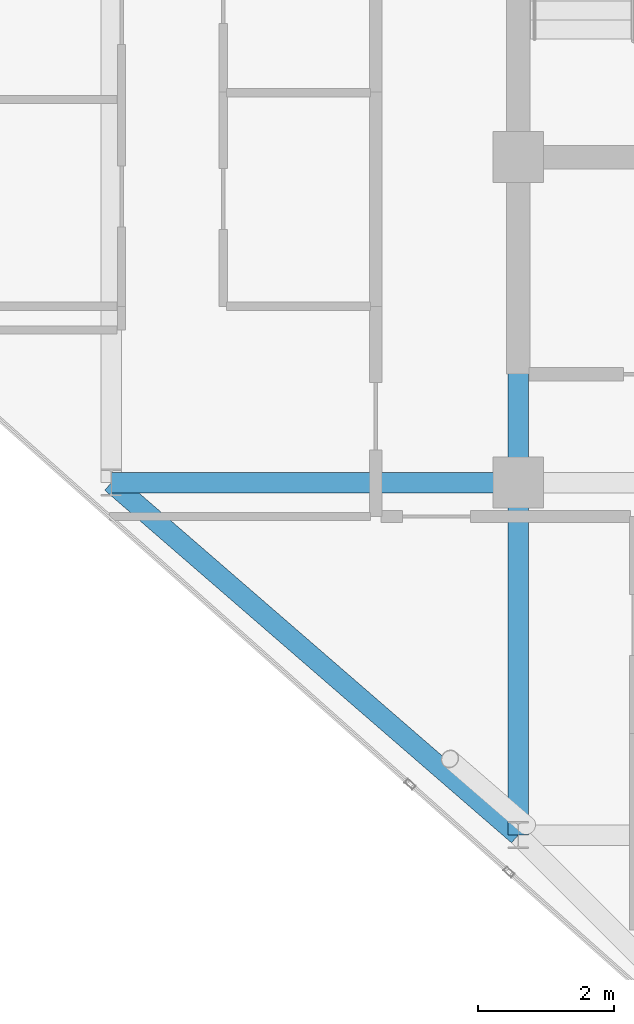
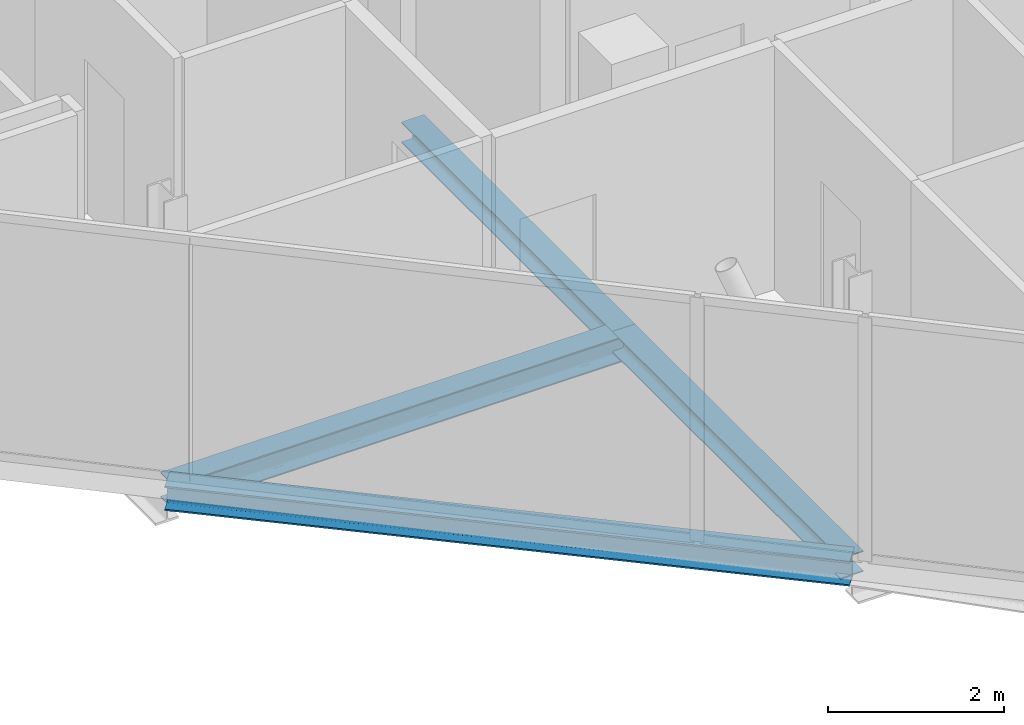
# One storey, part 5 of 27: 4 beams.
"""IFC4 building model written with IfcOpenShell, lengths in metres."""

import ifcopenshell
import ifcopenshell.guid

model = None  # the IFC model being written
_history = None  # IfcOwnerHistory: only IFC2X3 demands one
_inside = {}  # id of a spatial element -> (the spatial element, [elements in it])
_under = {}  # id of a project, library or spatial element -> (it, [spatial elements below it])
_declared = {}  # id of a project -> (the project, [libraries it declares])
_typed = {}  # id of a type object -> (the type object, [elements of that type])
_made_of = {}  # id of a material, layer set ... -> (it, [elements and type objects made of it])


def new_model(schema):
    """Start an empty IFC model of exactly this schema.

    Asked for "IFC4X3", IfcOpenShell would pick the latest addendum, in which some entities
    have other attributes; the version numbers below select the first issue.
    IFC2X3 requires an IfcOwnerHistory on every rooted entity: one is made here for all.
    """
    global model, _history
    if schema == "IFC4X3":
        model = ifcopenshell.file(schema_version=(4, 3, 0, 0))
    else:
        model = ifcopenshell.file(schema=schema)
    _inside.clear()
    _under.clear()
    _declared.clear()
    _typed.clear()
    _made_of.clear()
    _history = None
    if model.schema == "IFC2X3":
        org = make("IfcOrganization", Name="unknown")
        user = make(
            "IfcPersonAndOrganization",
            ThePerson=make("IfcPerson", FamilyName="unknown"),
            TheOrganization=org,
        )
        app = make(
            "IfcApplication",
            ApplicationDeveloper=org,
            Version="unknown",
            ApplicationFullName="unknown",
            ApplicationIdentifier="unknown",
        )
        _history = make(
            "IfcOwnerHistory",
            OwningUser=user,
            OwningApplication=app,
            ChangeAction="ADDED",
            CreationDate=0,
        )
    return model


def make(cls, **values):
    """One entity of the class cls with the attributes given. An attribute that is None is left unset."""
    return model.create_entity(
        cls, **{name: value for name, value in values.items() if value is not None}
    )


def rooted(cls, **values):
    """An entity with a GlobalId (a new one), such as an element, a storey or a relation."""
    return make(cls, GlobalId=ifcopenshell.guid.new(), OwnerHistory=_history, **values)


def si_unit(unit_type, name, prefix=None):
    """IfcSIUnit, for example si_unit("LENGTHUNIT", "METRE", prefix="MILLI")."""
    return make("IfcSIUnit", UnitType=unit_type, Prefix=prefix, Name=name)


def assignment(units):
    """IfcUnitAssignment: the units of a project."""
    return None if units is None else make("IfcUnitAssignment", Units=units)


def point(xyz):
    """IfcCartesianPoint."""
    return None if xyz is None else make("IfcCartesianPoint", Coordinates=xyz)


def direction(xyz):
    """IfcDirection."""
    return None if xyz is None else make("IfcDirection", DirectionRatios=xyz)


def frame(location, z_axis=None, x_axis=None):
    """IfcAxis2Placement3D, a coordinate frame: its origin and axes. An axis left out is left unset."""
    return make(
        "IfcAxis2Placement3D",
        Location=point(location),
        Axis=direction(z_axis),
        RefDirection=direction(x_axis),
    )


def frame_2d(location, x_axis=None):
    """IfcAxis2Placement2D, a coordinate frame in the plane: its origin and x axis."""
    return make(
        "IfcAxis2Placement2D", Location=point(location), RefDirection=direction(x_axis)
    )


def origin():
    """The frame at (0, 0, 0) with its axes left unset."""
    return frame((0.0, 0.0, 0.0))


def origin_2d():
    """The frame at (0, 0) in the plane with its x axis left unset."""
    return frame_2d((0.0, 0.0))


def place(relative_to, where):
    """IfcLocalPlacement: puts the frame where relative to a parent placement (None: the world)."""
    return make(
        "IfcLocalPlacement", PlacementRelTo=relative_to, RelativePlacement=where
    )


def context(
    kind, dimensions, precision=None, world=None, true_north=None, identifier=None
):
    """IfcGeometricRepresentationContext, for example the 3D "Model" context."""
    return make(
        "IfcGeometricRepresentationContext",
        ContextIdentifier=identifier,
        ContextType=kind,
        CoordinateSpaceDimension=dimensions,
        Precision=precision,
        WorldCoordinateSystem=world,
        TrueNorth=true_north,
    )


def subcontext(parent, identifier, kind, view, scale=None):
    """IfcGeometricRepresentationSubContext, for example "Body" below "Model"."""
    return make(
        "IfcGeometricRepresentationSubContext",
        ContextIdentifier=identifier,
        ContextType=kind,
        ParentContext=parent,
        TargetScale=scale,
        TargetView=view,
    )


def project(units=None, contexts=None):
    """IfcProject with its units and contexts."""
    return rooted(
        "IfcProject",
        Name="project",
        RepresentationContexts=contexts,
        UnitsInContext=assignment(units),
    )


def spatial(cls, under=None, at=None, **own):
    """A site, building, storey or space (cls), placed at a placement, below another one or the project."""
    s = rooted(cls, ObjectPlacement=at, **own)
    if under is not None:
        _under.setdefault(under.id(), (under, []))[1].append(s)
    return s


def profile(cls, at=None, kind="AREA", **sizes):
    """A parametric profile (cls). Its sizes go by their IFC names, for example OverallWidth=200.0."""
    return make(cls, ProfileType=kind, Position=at, **sizes)


def i_section(**sizes):
    """IfcIShapeProfileDef."""
    return profile("IfcIShapeProfileDef", **sizes)


def extrude(swept, where, along, depth):
    """IfcExtrudedAreaSolid: the profile swept, set in the frame where, extruded along a direction by depth."""
    return make(
        "IfcExtrudedAreaSolid",
        SweptArea=swept,
        Position=where,
        ExtrudedDirection=direction(along),
        Depth=depth,
    )


def shape(context_of_items, identifier, shape_type, items):
    """IfcShapeRepresentation: the items that make up one representation, for example the "Body"."""
    return make(
        "IfcShapeRepresentation",
        ContextOfItems=context_of_items,
        RepresentationIdentifier=identifier,
        RepresentationType=shape_type,
        Items=items,
    )


def material(Name=None, Category=None):
    """IfcMaterial."""
    return make("IfcMaterial", Name=Name, Category=Category)


def material_profile(
    of_material, cross_section, Name=None, Category=None, Priority=None
):
    """IfcMaterialProfile: a cross section and its material."""
    return make(
        "IfcMaterialProfile",
        Name=Name,
        Material=of_material,
        Profile=cross_section,
        Priority=Priority,
        Category=Category,
    )


def profile_set(profiles, Name=None, composite=None):
    """IfcMaterialProfileSet."""
    return make(
        "IfcMaterialProfileSet",
        Name=Name,
        MaterialProfiles=profiles,
        CompositeProfile=composite,
    )


def made_of(thing, what):
    """Note that an element or type object is made of a material, layer set ...; save() writes the relation."""
    if what is not None:
        _made_of.setdefault(what.id(), (what, []))[1].append(thing)
    return thing


def type_object(cls, material=None, **own):
    """A type object (cls), such as IfcWallType, which elements share."""
    return made_of(rooted(cls, **own), material)


def element(
    cls,
    number,
    at=None,
    inside=None,
    cuts=None,
    type_object=None,
    material=None,
    context=None,
    identifier="Body",
    shape_type=None,
    held_by="IfcProductDefinitionShape",
    body=None,
    shapes=None,
    **own,
):
    """One element of the class cls, such as IfcWall. Its Tag is "e" and its number.

    at: its placement. inside: the storey or other place that contains it. cuts: it is an
    opening in that element (IfcRelVoidsElement). A single representation is given by context,
    identifier, shape_type and body (its items); several are given by shapes. held_by: the class
    of the entity that holds the representations. save() writes the other relations.
    """
    e = rooted(cls, Tag="e%d" % number, ObjectPlacement=at, **own)
    if body is not None:
        shapes = [shape(context, identifier, shape_type, body)]
    if shapes is not None:
        e.Representation = make(held_by, Representations=shapes)
    if inside is not None:
        _inside.setdefault(inside.id(), (inside, []))[1].append(e)
    if cuts is not None:
        rooted(
            "IfcRelVoidsElement", RelatingBuildingElement=cuts, RelatedOpeningElement=e
        )
    if type_object is not None:
        _typed.setdefault(type_object.id(), (type_object, []))[1].append(e)
    return made_of(e, material)


def aggregate(whole, parts):
    """IfcRelAggregates: a whole, such as a stair, and the parts it consists of."""
    return rooted("IfcRelAggregates", RelatingObject=whole, RelatedObjects=parts)


def save(model, path):
    """Write the relations noted so far, then the file.

    IfcRelAggregates (storeys below a building ...), IfcRelContainedInSpatialStructure (elements
    in a storey), IfcRelDefinesByType, IfcRelAssociatesMaterial and IfcRelDeclares: one each for
    every whole, place, type object, material and project.
    """
    for whole, parts in _under.values():
        aggregate(whole, parts)
    for where, things in _inside.values():
        rooted(
            "IfcRelContainedInSpatialStructure",
            RelatedElements=things,
            RelatingStructure=where,
        )
    for kind, things in _typed.values():
        rooted("IfcRelDefinesByType", RelatedObjects=things, RelatingType=kind)
    for what, things in _made_of.values():
        rooted("IfcRelAssociatesMaterial", RelatedObjects=things, RelatingMaterial=what)
    for by, libraries in _declared.values():
        rooted("IfcRelDeclares", RelatingContext=by, RelatedDefinitions=libraries)
    model.write(path)


model = new_model("IFC4")

# Units and contexts
model_context = context("Model", 3, precision=1e-05, world=origin(), true_north=direction((0.0, 1.0)))
body_context = subcontext(model_context, "Body", "Model", "MODEL_VIEW")
ifc_project = project(units=[si_unit("LENGTHUNIT", "METRE"), si_unit("AREAUNIT", "SQUARE_METRE"), si_unit("VOLUMEUNIT", "CUBIC_METRE"), si_unit("PLANEANGLEUNIT", "RADIAN"), si_unit("MASSUNIT", "GRAM", prefix="KILO")], contexts=[model_context])

# Site, building, storey
site_placement = place(None, origin())
site = spatial("IfcSite", under=ifc_project, at=site_placement, CompositionType="ELEMENT")
building_placement = place(site_placement, origin())
building = spatial("IfcBuilding", under=site, at=building_placement, Name="Keshet Zoharim Tower", CompositionType="ELEMENT")
storey_placement = place(building_placement, frame((0.0, 0.0, 262.10009765625)))
storey = spatial("IfcBuildingStorey", under=building, at=storey_placement, Name="L65", CompositionType="ELEMENT", Elevation=262.10009765625)

# Beams
ifc_material = material(Name="Steel S355", Category="steel")
ifc_material_profile_1 = material_profile(ifc_material, i_section(OverallWidth=0.300048828125, OverallDepth=0.2900390625, WebThickness=0.008544921875, FlangeThickness=0.013916015625, FilletRadius=0.027099609375, at=origin_2d()), Name="HEA300")
ifc_profile_set_1 = profile_set([ifc_material_profile_1], Name="Steel S355")
beam_type_1 = type_object("IfcBeamType", Name="BM-PRI-HA300", PredefinedType="BEAM", material=ifc_profile_set_1)
beam_1_placement = place(storey_placement, frame((15.0, 12.699951171875, -0.455078125), z_axis=(0.0, 1.0, 0.0), x_axis=(-1.0, 0.0, 0.0)))
element("IfcBeam", 1, at=beam_1_placement, inside=storey, type_object=beam_type_1, Name="L65 Primary Girder Y-002", PredefinedType="BEAM", context=body_context, shape_type="SweptSolid", body=[
    extrude(i_section(OverallWidth=0.300048828125, OverallDepth=0.2900390625, WebThickness=0.008544921875, FlangeThickness=0.013916015625, FilletRadius=0.027099609375, at=origin_2d()), origin(), (0.0, 0.0, 1.0), 5.199951171875),
])
beam_2_placement = place(storey_placement, frame((15.0, 17.89990234375, -0.455078125), z_axis=(0.0, 1.0, 0.0), x_axis=(-1.0, 0.0, 0.0)))
element("IfcBeam", 2, at=beam_2_placement, inside=storey, type_object=beam_type_1, Name="L65 Primary Girder Y-003", PredefinedType="BEAM", context=body_context, shape_type="SweptSolid", body=[
    extrude(i_section(OverallWidth=0.300048828125, OverallDepth=0.2900390625, WebThickness=0.008544921875, FlangeThickness=0.013916015625, FilletRadius=0.027099609375, at=origin_2d()), origin(), (0.0, 0.0, 1.0), 4.800048828125),
])
ifc_material_profile_2 = material_profile(ifc_material, i_section(OverallWidth=0.300048828125, OverallDepth=0.35009765625, WebThickness=0.010009765625, FlangeThickness=0.017578125, FilletRadius=0.027099609375, at=origin_2d()), Name="HEA360")
ifc_profile_set_2 = profile_set([ifc_material_profile_2], Name="Steel S355")
beam_type_2 = type_object("IfcBeamType", Name="BM-PRI-HA360", PredefinedType="BEAM", material=ifc_profile_set_2)
beam_3_placement = place(storey_placement, frame((9.0, 17.89990234375, -0.485107421875), z_axis=(1.0, 0.0, 0.0), x_axis=(0.0, 1.0, 0.0)))
element("IfcBeam", 3, at=beam_3_placement, inside=storey, type_object=beam_type_2, Name="L65 Primary Girder X-005", PredefinedType="BEAM", context=body_context, shape_type="SweptSolid", body=[
    extrude(i_section(OverallWidth=0.300048828125, OverallDepth=0.35009765625, WebThickness=0.010009765625, FlangeThickness=0.017578125, FilletRadius=0.027099609375, at=origin_2d()), origin(), (0.0, 0.0, 1.0), 6.0),
])
ifc_material_profile_3 = material_profile(ifc_material, i_section(OverallWidth=0.300048828125, OverallDepth=0.340087890625, WebThickness=0.011962890625, FlangeThickness=0.021484375, FilletRadius=0.027099609375, at=origin_2d()), Name="HEB340")
ifc_profile_set_3 = profile_set([ifc_material_profile_3], Name="Steel S355")
beam_type_3 = type_object("IfcBeamType", Name="BM-SPN-HB340", PredefinedType="SPANDREL", material=ifc_profile_set_3)
beam_4_placement = place(storey_placement, frame((9.0, 17.89990234375, -0.47998046875), z_axis=(0.755692126483, -0.654927026447, 0.0), x_axis=(0.654927026447, 0.755692126483, 0.0)))
element("IfcBeam", 4, at=beam_4_placement, inside=storey, type_object=beam_type_3, Name="L65 Perimeter Spandrel Beam 02", PredefinedType="SPANDREL", context=body_context, shape_type="SweptSolid", body=[
    extrude(i_section(OverallWidth=0.300048828125, OverallDepth=0.340087890625, WebThickness=0.011962890625, FlangeThickness=0.021484375, FilletRadius=0.027099609375, at=origin_2d()), origin(), (0.0, 0.0, 1.0), 7.939697265625),
])

save(model, "model.ifc")
